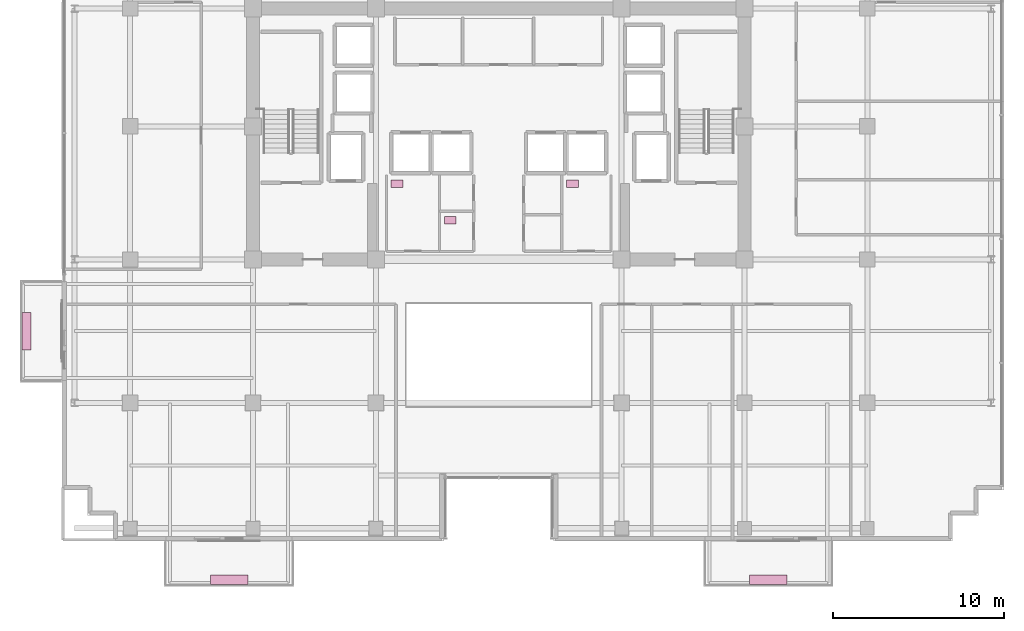
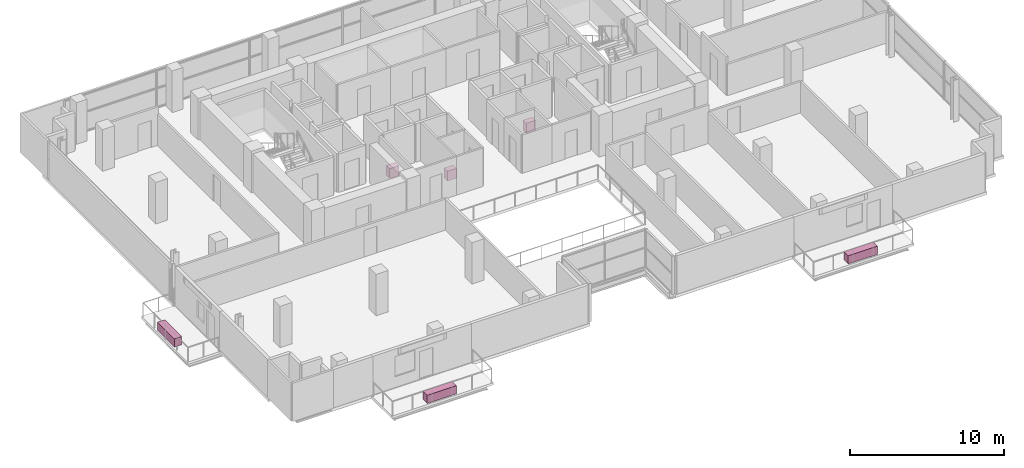
# One storey, part 22 of 22: 6 furnishings.
"""IFC4 building model written with IfcOpenShell, lengths in metres."""

from ifc_helpers import new_model, si_unit, direction, frame, origin, origin_2d, place, context, subcontext, project, spatial, rectangle, extrude, source, transform, mapped, material, type_object, element, save


model = new_model("IFC4")

# Units and contexts
model_context = context("Model", 3, precision=1e-05, world=origin(), true_north=direction((0.0, 1.0)))
body_context = subcontext(model_context, "Body", "Model", "MODEL_VIEW")
ifc_project = project(units=[si_unit("LENGTHUNIT", "METRE"), si_unit("AREAUNIT", "SQUARE_METRE"), si_unit("VOLUMEUNIT", "CUBIC_METRE"), si_unit("PLANEANGLEUNIT", "RADIAN"), si_unit("MASSUNIT", "GRAM", prefix="KILO")], contexts=[model_context])

# Site, building, storey
site_placement = place(None, origin())
site = spatial("IfcSite", under=ifc_project, at=site_placement, CompositionType="ELEMENT")
building_placement = place(site_placement, origin())
building = spatial("IfcBuilding", under=site, at=building_placement, Name="Zarnakvel Exchange Tower", CompositionType="ELEMENT")
storey_placement = place(building_placement, frame((0.0, 0.0, 136.300048828125)))
storey = spatial("IfcBuildingStorey", under=building, at=storey_placement, Name="L38", CompositionType="ELEMENT", Elevation=136.300048828125)

# Furnishings
ifc_material_1 = material(Name="Architectural Bronze Anodised Aluminium", Category="aluminium")
furnishing_element_type_1 = type_object("IfcFurnishingElementType", Name="PLNT-01", material=ifc_material_1)
shared_shape_1 = source(origin(), body_context, "Body", "SweptSolid", [
    extrude(rectangle(XDim=2.199951171875, YDim=0.550048828125, at=origin_2d()), origin(), (0.0, 0.0, 1.0), 0.64990234375),
])
for number, where, z_axis, x_axis, name in (
    (1, (-15.800048828125, -19.969970703125, -0.034912109375), (0.0, 0.0, 1.0), (1.0, 0.0, 0.0), "L38 Balcony Greenery Planter BAL-L38-SW"),
    (2, (15.800048828125, -19.969970703125, -0.034912109375), (0.0, 0.0, 1.0), (1.0, 0.0, 0.0), "L38 Balcony Greenery Planter BAL-L38-SE"),
    (3, (-27.669921875, -5.39990234375, -0.034912109375), (0.0, 0.0, 1.0), (0.0, 1.0, 0.0), "L38 Balcony Greenery Planter BAL-L38-W"),
):
    element("IfcFurnishingElement", number, at=place(storey_placement, frame(where, z_axis=z_axis, x_axis=x_axis)), inside=storey, type_object=furnishing_element_type_1, Name=name, ObjectType="PLANTER", context=body_context, shape_type="MappedRepresentation", body=[
        mapped(shared_shape_1, transform((0.0, 0.0, 0.0), x_axis=(1.0, 0.0, 0.0), y_axis=(0.0, 1.0, 0.0), z_axis=(0.0, 0.0, 1.0), scale=1.0)),
    ])
ifc_material_2 = material(Name="Vitreous China Sanitaryware", Category="ceramic")
furnishing_element_type_2 = type_object("IfcFurnishingElementType", Name="SAN-WC", material=ifc_material_2)
shared_shape_2 = source(origin(), body_context, "Body", "SweptSolid", [
    extrude(rectangle(XDim=0.699951171875, YDim=0.449951171875, at=origin_2d()), origin(), (0.0, 0.0, 1.0), 0.780029296875),
])
for number, where, z_axis, x_axis, name in (
    (4, (-5.949951171875, 3.22998046875, 0.0), (0.0, 0.0, 1.0), (1.0, 0.0, 0.0), "L38 Sanitary Fixture (Male Toilet)"),
    (5, (-2.840087890625, 1.10009765625, 0.0), (0.0, 0.0, 1.0), (1.0, 0.0, 0.0), "L38 Sanitary Fixture (Accessible Toilet)"),
    (6, (4.31005859375, 3.22998046875, 0.0), (0.0, 0.0, 1.0), (1.0, 0.0, 0.0), "L38 Sanitary Fixture (Female Toilet)"),
):
    element("IfcFurnishingElement", number, at=place(storey_placement, frame(where, z_axis=z_axis, x_axis=x_axis)), inside=storey, type_object=furnishing_element_type_2, Name=name, ObjectType="SANITARY_FIXTURE", context=body_context, shape_type="MappedRepresentation", body=[
        mapped(shared_shape_2, transform((0.0, 0.0, 0.0), x_axis=(1.0, 0.0, 0.0), y_axis=(0.0, 1.0, 0.0), z_axis=(0.0, 0.0, 1.0), scale=1.0)),
    ])

save(model, "model.ifc")
